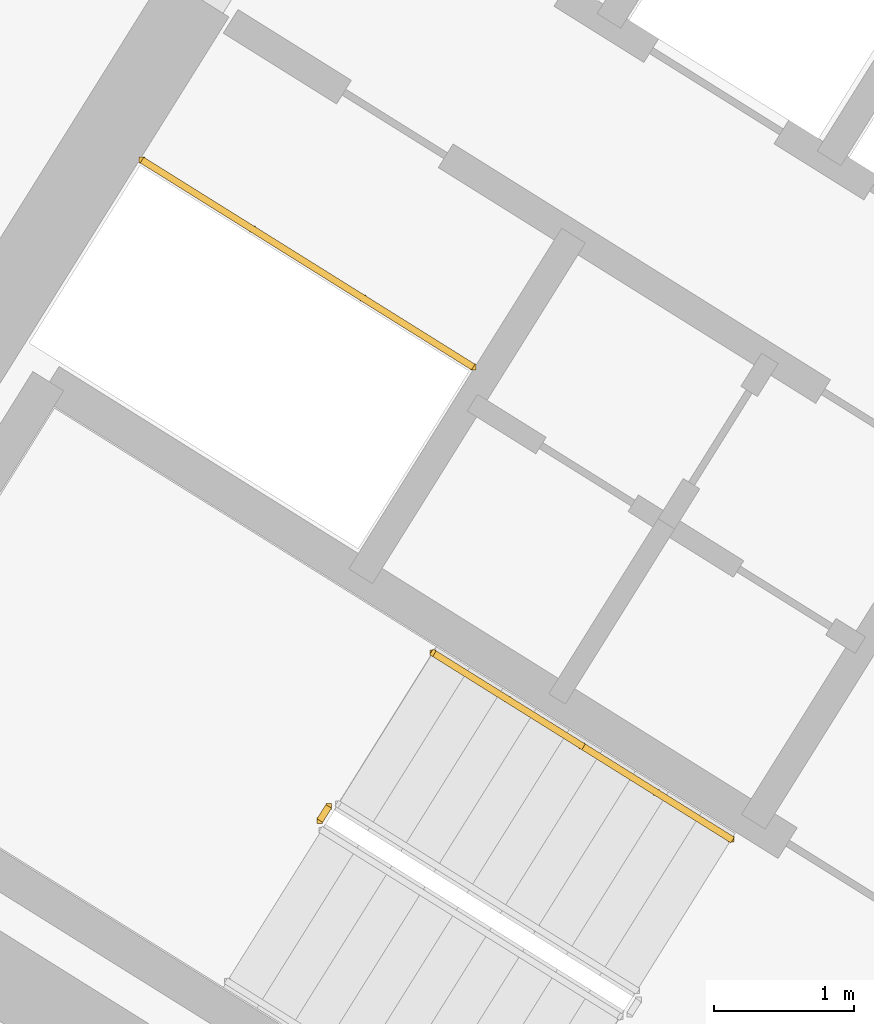
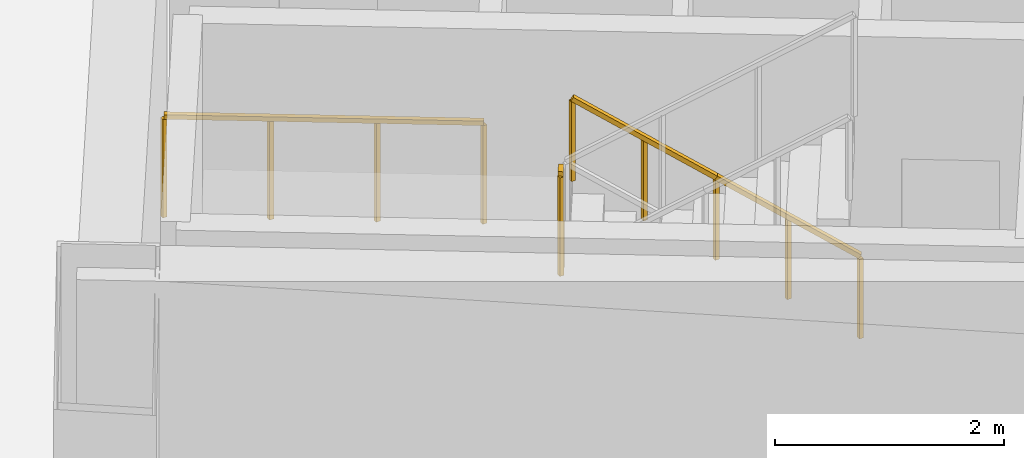
# One storey, part 25 of 29: 4 railings.
"""IFC4 building model written with IfcOpenShell, lengths in metres."""

from ifc_helpers import new_model, si_unit, direction, frame, origin, origin_2d, place, context, subcontext, project, spatial, rectangle, extrude, source, transform, mapped, material, type_object, element, save


model = new_model("IFC4")

# Units and contexts
model_context = context("Model", 3, precision=1e-05, world=origin(), true_north=direction((0.0, 1.0)))
body_context = subcontext(model_context, "Body", "Model", "MODEL_VIEW")
ifc_project = project(units=[si_unit("LENGTHUNIT", "METRE"), si_unit("AREAUNIT", "SQUARE_METRE"), si_unit("VOLUMEUNIT", "CUBIC_METRE"), si_unit("PLANEANGLEUNIT", "RADIAN"), si_unit("MASSUNIT", "GRAM", prefix="KILO")], contexts=[model_context])

# Site, building, storey
site_placement = place(None, origin())
site = spatial("IfcSite", under=ifc_project, at=site_placement, CompositionType="ELEMENT")
building_placement = place(site_placement, origin())
building = spatial("IfcBuilding", under=site, at=building_placement, Name="Tlacorven Tower", CompositionType="ELEMENT")
storey_placement = place(building_placement, frame((0.0, 0.0, 158.699951171875)))
storey = spatial("IfcBuildingStorey", under=building, at=storey_placement, Name="L40", CompositionType="ELEMENT", Elevation=158.699951171875)

# Railings
ifc_material = material(Name="Aluminium and painted steel balustrade", Category="steel")
railing_type_1 = type_object("IfcRailingType", Name="RL-GRD-1100", PredefinedType="GUARDRAIL", material=ifc_material)
shared_shape_1 = source(origin(), body_context, "Body", "SweptSolid", [
    extrude(rectangle(XDim=0.048095703125, YDim=0.048095703125, at=origin_2d()), frame((0.0, 0.0, 1.076171875), z_axis=(-0.848091358275, 0.529850024081, 0.0), x_axis=(-0.529850024081, -0.848091358275, 0.0)), (0.0, 0.0, 1.0), 2.800048828125),
    extrude(rectangle(XDim=0.0419921875, YDim=0.0419921875, at=origin_2d()), origin(), (0.0, 0.0, 1.0), 1.052001953125),
    extrude(rectangle(XDim=0.0419921875, YDim=0.0419921875, at=origin_2d()), frame((-0.79150390625, 0.49462890625, 0.0)), (0.0, 0.0, 1.0), 1.052001953125),
    extrude(rectangle(XDim=0.0419921875, YDim=0.0419921875, at=origin_2d()), frame((-1.583251953125, 0.989013671875, 0.0)), (0.0, 0.0, 1.0), 1.052001953125),
    extrude(rectangle(XDim=0.0419921875, YDim=0.0419921875, at=origin_2d()), frame((-2.374755859375, 1.483642578125, 0.0)), (0.0, 0.0, 1.0), 1.052001953125),
])
railing_1_placement = place(storey_placement, frame((27.9912109375, 22.32080078125, 0.0)))
element("IfcRailing", 1, at=railing_1_placement, inside=storey, type_object=railing_type_1, Name="L40 Electrical Riser W Shaft Guard 1", PredefinedType="GUARDRAIL", context=body_context, shape_type="MappedRepresentation", body=[
    mapped(shared_shape_1, transform((0.0, 0.0, 0.0), scale=1.0)),
])
shared_shape_2 = source(origin(), body_context, "Body", "SweptSolid", [
    extrude(rectangle(XDim=0.048095703125, YDim=0.048095703125, at=origin_2d()), frame((0.0, 0.0, 1.076171875), z_axis=(-0.530546985787, -0.847655529016, 0.0), x_axis=(0.847655529016, -0.530546985787, 0.0)), (0.0, 0.0, 1.0), 0.1201171875),
    extrude(rectangle(XDim=0.0419921875, YDim=0.0419921875, at=origin_2d()), origin(), (0.0, 0.0, 1.0), 1.052001953125),
    extrude(rectangle(XDim=0.0419921875, YDim=0.0419921875, at=origin_2d()), frame((-0.063720703125, -0.101806640625, 0.0)), (0.0, 0.0, 1.0), 1.052001953125),
])
railing_2_placement = place(storey_placement, frame((26.954833984375, 19.17138671875, 1.800048828125)))
element("IfcRailing", 2, at=railing_2_placement, inside=storey, type_object=railing_type_1, Name="L40 ST-W1 stair guard 2", PredefinedType="GUARDRAIL", context=body_context, shape_type="MappedRepresentation", body=[
    mapped(shared_shape_2, transform((0.0, 0.0, 0.0), scale=1.0)),
])
railing_type_2 = type_object("IfcRailingType", Name="RL-HND-0900", PredefinedType="HANDRAIL", material=ifc_material)
shared_shape_3 = source(origin(), body_context, "Body", "SweptSolid", [
    extrude(rectangle(XDim=0.048095703125, YDim=0.048095703125, at=origin_2d()), frame((0.0, 0.0, 0.8759765625), z_axis=(-0.713359751793, 0.4457479829, 0.540764828981), x_axis=(-0.529911857636, -0.848052724267, 0.0)), (0.0, 0.0, 1.0), 1.498046875),
    extrude(rectangle(XDim=0.0419921875, YDim=0.0419921875, at=origin_2d()), origin(), (0.0, 0.0, 1.0), 0.851806640625),
    extrude(rectangle(XDim=0.0419921875, YDim=0.0419921875, at=origin_2d()), frame((-0.5341796875, 0.333984375, 0.405029296875)), (0.0, 0.0, 1.0), 0.851806640625),
    extrude(rectangle(XDim=0.0419921875, YDim=0.0419921875, at=origin_2d()), frame((-1.068603515625, 0.667724609375, 0.81005859375)), (0.0, 0.0, 1.0), 0.851806640625),
])
for number, where, name in (
    (3, (29.839111328125, 18.937255859375, 0.179931640625), "L40 ST-W1 stair handrail 1"),
    (4, (28.7705078125, 19.60498046875, 0.989990234375), "L40 ST-W1 stair handrail 2"),
):
    element("IfcRailing", number, at=place(storey_placement, frame(where)), inside=storey, type_object=railing_type_2, Name=name, PredefinedType="HANDRAIL", context=body_context, shape_type="MappedRepresentation", body=[
        mapped(shared_shape_3, transform((0.0, 0.0, 0.0), scale=1.0)),
    ])

save(model, "model.ifc")
